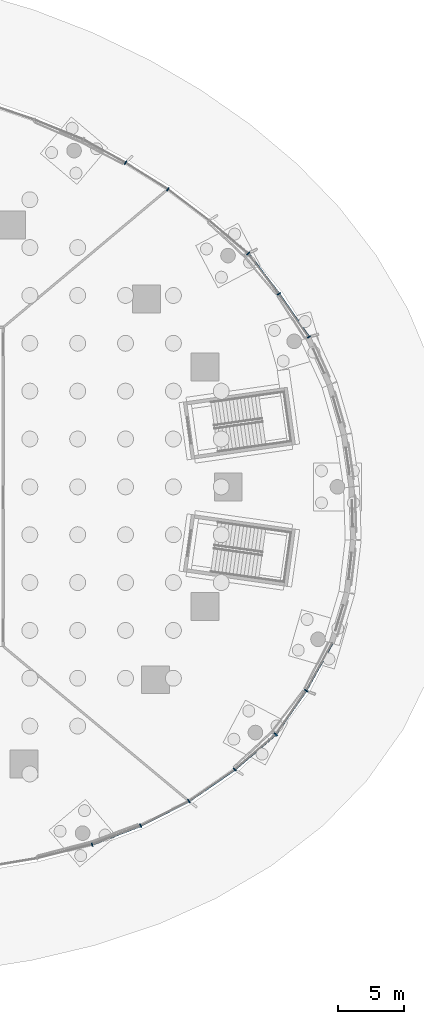
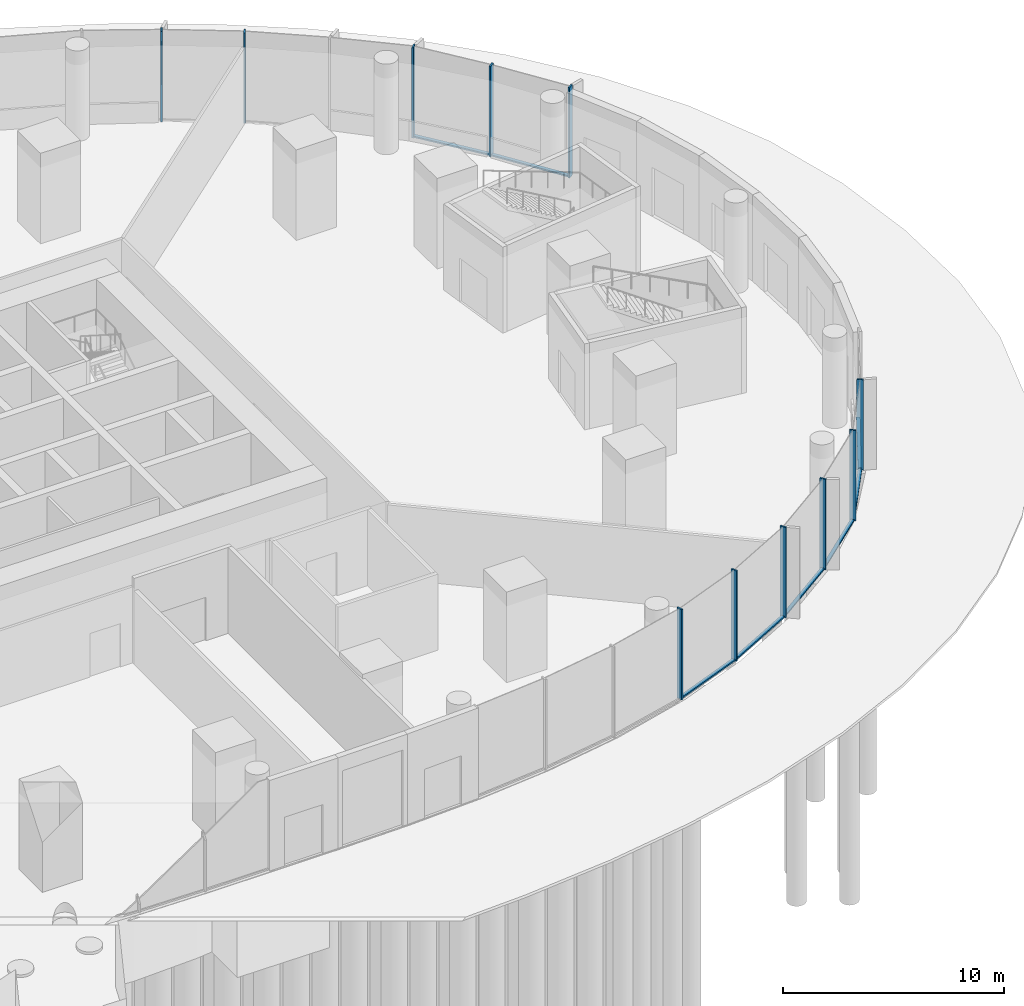
# One storey, part 7 of 29: 19 members, 4 elements without a shape of their own.
"""IFC4 building model written with IfcOpenShell, lengths in metres."""

from ifc_helpers import new_model, si_unit, direction, frame, origin, origin_2d, place, context, subcontext, project, spatial, rectangle, extrude, material, material_profile, profile_set, type_object, element, aggregate, save


model = new_model("IFC4")

# Units and contexts
model_context = context("Model", 3, precision=1e-05, world=origin(), true_north=direction((0.0, 1.0)))
body_context = subcontext(model_context, "Body", "Model", "MODEL_VIEW")
ifc_project = project(units=[si_unit("LENGTHUNIT", "METRE"), si_unit("AREAUNIT", "SQUARE_METRE"), si_unit("VOLUMEUNIT", "CUBIC_METRE"), si_unit("PLANEANGLEUNIT", "RADIAN"), si_unit("MASSUNIT", "GRAM", prefix="KILO")], contexts=[model_context])

# Site, building, storey
site_placement = place(None, origin())
site = spatial("IfcSite", under=ifc_project, at=site_placement, CompositionType="ELEMENT")
building_placement = place(site_placement, origin())
building = spatial("IfcBuilding", under=site, at=building_placement, Name="Ghaith Harvest Tower", CompositionType="ELEMENT")
storey_placement = place(building_placement, origin())
storey = spatial("IfcBuildingStorey", under=building, at=storey_placement, Name="L00", CompositionType="ELEMENT", Elevation=0.0)

# Curtain wall, members
ifc_material_1 = material(Name="Black anodised aluminium and fritted glass", Category="aluminium")
curtain_wall_type = type_object("IfcCurtainWallType", Name="CW-P CURTAIN WALL", PredefinedType="NOTDEFINED", material=ifc_material_1)
curtain_wall_1_placement = place(storey_placement, origin())
curtain_wall_1 = element("IfcCurtainWall", 1, at=curtain_wall_1_placement, inside=storey, type_object=curtain_wall_type, Name="Curtain wall CW-P bay 02 L00", PredefinedType="NOTDEFINED")
ifc_material_2 = material(Name="Aluminium, black anodised", Category="aluminium")
ifc_material_profile_1 = material_profile(ifc_material_2, rectangle(XDim=0.080078125, YDim=0.300048828125, at=origin_2d()), Name="CW-P MULLION 80x300")
ifc_profile_set_1 = profile_set([ifc_material_profile_1], Name="Aluminium, black anodised")
member_type_1 = type_object("IfcMemberType", Name="CW-P MULLION 80x300", PredefinedType="MULLION", material=ifc_profile_set_1)
member_1_placement = place(storey_placement, frame((38.986328125, 11.267822265625, 0.0), z_axis=(0.0, 0.0, 1.0), x_axis=(-0.568319762502, 0.822807782869, 0.0)))
member_1 = element("IfcMember", 2, at=member_1_placement, type_object=member_type_1, Name="CW-P mullion 1 bay 02 L00", PredefinedType="MULLION", context=body_context, shape_type="SweptSolid", body=[
    extrude(rectangle(XDim=0.080078125, YDim=0.300048828125, at=origin_2d()), origin(), (0.0, 0.0, 1.0), 5.0),
])
member_2_placement = place(storey_placement, frame((36.7373046875, 14.52392578125, 0.0), z_axis=(0.0, 0.0, 1.0), x_axis=(-0.587258025755, 0.809399784523, 0.0)))
member_2 = element("IfcMember", 3, at=member_2_placement, type_object=member_type_1, Name="CW-P mullion 2 bay 02 L00", PredefinedType="MULLION", context=body_context, shape_type="SweptSolid", body=[
    extrude(rectangle(XDim=0.080078125, YDim=0.300048828125, at=origin_2d()), origin(), (0.0, 0.0, 1.0), 5.0),
])
member_3_placement = place(storey_placement, frame((34.423583984375, 17.556396484375, 0.0), z_axis=(0.0, 0.0, 1.0), x_axis=(-0.689143047622, 0.724625323815, 0.0)))
member_3 = element("IfcMember", 4, at=member_3_placement, type_object=member_type_1, Name="CW-P mullion 3 bay 02 L00", PredefinedType="MULLION", context=body_context, shape_type="SweptSolid", body=[
    extrude(rectangle(XDim=0.080078125, YDim=0.300048828125, at=origin_2d()), origin(), (0.0, 0.0, 1.0), 5.0),
])

curtain_wall_2_placement = place(storey_placement, origin())
curtain_wall_2 = element("IfcCurtainWall", 5, at=curtain_wall_2_placement, inside=storey, type_object=curtain_wall_type, Name="Curtain wall CW-P bay 03 L00", PredefinedType="NOTDEFINED")
member_4_placement = place(storey_placement, frame((28.3876953125, 22.39404296875, 0.0), z_axis=(0.0, 0.0, 1.0), x_axis=(-0.822844524846, 0.56826656415, 0.0)))
member_4 = element("IfcMember", 6, at=member_4_placement, type_object=member_type_1, Name="CW-P mullion 2 bay 03 L00", PredefinedType="MULLION", context=body_context, shape_type="SweptSolid", body=[
    extrude(rectangle(XDim=0.080078125, YDim=0.300048828125, at=origin_2d()), origin(), (0.0, 0.0, 1.0), 5.0),
])
member_5_placement = place(storey_placement, frame((25.197021484375, 24.38720703125, 0.0), z_axis=(0.0, 0.0, 1.0), x_axis=(-0.861800763039, 0.507246926877, 0.0)))
member_5 = element("IfcMember", 7, at=member_5_placement, type_object=member_type_1, Name="CW-P mullion 3 bay 03 L00", PredefinedType="MULLION", context=body_context, shape_type="SweptSolid", body=[
    extrude(rectangle(XDim=0.080078125, YDim=0.300048828125, at=origin_2d()), origin(), (0.0, 0.0, 1.0), 5.0),
])
aggregate(curtain_wall_2, [member_4, member_5])

curtain_wall_3_placement = place(storey_placement, origin())
curtain_wall_3 = element("IfcCurtainWall", 8, at=curtain_wall_3_placement, inside=storey, type_object=curtain_wall_type, Name="Curtain wall CW-P bay 18 L00", PredefinedType="NOTDEFINED")
member_6_placement = place(storey_placement, frame((22.679931640625, -26.895263671875, 0.0), z_axis=(0.0, 0.0, 1.0), x_axis=(0.954194174196, 0.299188031063, 0.0)))
member_6 = element("IfcMember", 9, at=member_6_placement, type_object=member_type_1, Name="CW-P mullion 1 bay 18 L00", PredefinedType="MULLION", context=body_context, shape_type="SweptSolid", body=[
    extrude(rectangle(XDim=0.080078125, YDim=0.300048828125, at=origin_2d()), origin(), (0.0, 0.0, 1.0), 5.0),
])
member_7_placement = place(storey_placement, frame((26.338623046875, -25.4921875, 0.0), z_axis=(0.0, 0.0, 1.0), x_axis=(0.913313717697, 0.407256740972, 0.0)))
member_7 = element("IfcMember", 10, at=member_7_placement, type_object=member_type_1, Name="CW-P mullion 2 bay 18 L00", PredefinedType="MULLION", context=body_context, shape_type="SweptSolid", body=[
    extrude(rectangle(XDim=0.080078125, YDim=0.300048828125, at=origin_2d()), origin(), (0.0, 0.0, 1.0), 5.0),
])
member_8_placement = place(storey_placement, frame((29.9716796875, -23.643798828125, 0.0), z_axis=(0.0, 0.0, 1.0), x_axis=(0.858546653086, 0.512735452719, 0.0)))
member_8 = element("IfcMember", 11, at=member_8_placement, type_object=member_type_1, Name="CW-P mullion 3 bay 18 L00", PredefinedType="MULLION", context=body_context, shape_type="SweptSolid", body=[
    extrude(rectangle(XDim=0.080078125, YDim=0.300048828125, at=origin_2d()), origin(), (0.0, 0.0, 1.0), 5.0),
])

curtain_wall_4_placement = place(storey_placement, origin())
curtain_wall_4 = element("IfcCurtainWall", 12, at=curtain_wall_4_placement, inside=storey, type_object=curtain_wall_type, Name="Curtain wall CW-P bay 19 L00", PredefinedType="NOTDEFINED")
member_9_placement = place(storey_placement, frame((33.41552734375, -21.265869140625, 0.0), z_axis=(0.0, 0.0, 1.0), x_axis=(0.792243116857, 0.610205575026, 0.0)))
member_9 = element("IfcMember", 13, at=member_9_placement, type_object=member_type_1, Name="CW-P mullion 1 bay 19 L00", PredefinedType="MULLION", context=body_context, shape_type="SweptSolid", body=[
    extrude(rectangle(XDim=0.080078125, YDim=0.300048828125, at=origin_2d()), origin(), (0.0, 0.0, 1.0), 5.0),
])
member_10_placement = place(storey_placement, frame((36.5, -18.615478515625, 0.0), z_axis=(0.0, 0.0, 1.0), x_axis=(0.670571788871, 0.741844644094, 0.0)))
member_10 = element("IfcMember", 14, at=member_10_placement, type_object=member_type_1, Name="CW-P mullion 2 bay 19 L00", PredefinedType="MULLION", context=body_context, shape_type="SweptSolid", body=[
    extrude(rectangle(XDim=0.080078125, YDim=0.300048828125, at=origin_2d()), origin(), (0.0, 0.0, 1.0), 5.0),
])
member_11_placement = place(storey_placement, frame((38.77978515625, -15.33154296875, 0.0), z_axis=(0.0, 0.0, 1.0), x_axis=(0.526226687845, 0.850344326141, 0.0)))
member_11 = element("IfcMember", 15, at=member_11_placement, type_object=member_type_1, Name="CW-P mullion 3 bay 19 L00", PredefinedType="MULLION", context=body_context, shape_type="SweptSolid", body=[
    extrude(rectangle(XDim=0.080078125, YDim=0.300048828125, at=origin_2d()), origin(), (0.0, 0.0, 1.0), 5.0),
])

# Member
ifc_material_3 = material(Name="Aluminium, black anodised", Category="aluminium")
ifc_material_profile_2 = material_profile(ifc_material_3, rectangle(XDim=0.179931640625, YDim=0.080078125, at=origin_2d()), Name="CW-P TRANSOM 180x80")
ifc_profile_set_2 = profile_set([ifc_material_profile_2], Name="Aluminium, black anodised")
member_type_2 = type_object("IfcMemberType", Name="CW-P TRANSOM 180x80", PredefinedType="USERDEFINED", material=ifc_profile_set_2)
member_12_placement = place(storey_placement, frame((38.963623046875, 11.30078125, 0.0400390625), z_axis=(-0.568312529767, 0.822812778528, 0.0), x_axis=(-0.822812778528, -0.568312529767, 0.0)))
member_12 = element("IfcMember", 16, at=member_12_placement, type_object=member_type_2, Name="CW-P transom 1 bay 02 L00", ObjectType="TRANSOM", PredefinedType="USERDEFINED", context=body_context, shape_type="SweptSolid", body=[
    extrude(rectangle(XDim=0.179931640625, YDim=0.080078125, at=origin_2d()), origin(), (0.0, 0.0, 1.0), 3.87744140625),
])

member_13_placement = place(storey_placement, frame((36.713134765625, 14.555908203125, 0.0400390625), z_axis=(-0.606590683295, 0.795014303607, 0.0), x_axis=(-0.795014303607, -0.606590683295, 0.0)))
member_13 = element("IfcMember", 17, at=member_13_placement, type_object=member_type_2, Name="CW-P transom 2 bay 02 L00", ObjectType="TRANSOM", PredefinedType="USERDEFINED", context=body_context, shape_type="SweptSolid", body=[
    extrude(rectangle(XDim=0.179931640625, YDim=0.080078125, at=origin_2d()), origin(), (0.0, 0.0, 1.0), 3.734130859375),
])

aggregate(curtain_wall_1, [member_1, member_12, member_2, member_13, member_3])

member_14_placement = place(storey_placement, frame((22.71728515625, -26.880859375, 0.0400390625), z_axis=(0.933710682885, 0.358028435556, 0.0), x_axis=(-0.358028435556, 0.933710682885, 0.0)))
member_14 = element("IfcMember", 18, at=member_14_placement, type_object=member_type_2, Name="CW-P transom 1 bay 18 L00", ObjectType="TRANSOM", PredefinedType="USERDEFINED", context=body_context, shape_type="SweptSolid", body=[
    extrude(rectangle(XDim=0.179931640625, YDim=0.080078125, at=origin_2d()), origin(), (0.0, 0.0, 1.0), 3.83837890625),
])

member_15_placement = place(storey_placement, frame((26.374267578125, -25.47412109375, 0.0400390625), z_axis=(0.891265035365, 0.45348278549, 0.0), x_axis=(-0.45348278549, 0.891265035365, 0.0)))
member_15 = element("IfcMember", 19, at=member_15_placement, type_object=member_type_2, Name="CW-P transom 2 bay 18 L00", ObjectType="TRANSOM", PredefinedType="USERDEFINED", context=body_context, shape_type="SweptSolid", body=[
    extrude(rectangle(XDim=0.179931640625, YDim=0.080078125, at=origin_2d()), origin(), (0.0, 0.0, 1.0), 3.996337890625),
])

member_16_placement = place(storey_placement, frame((30.004638671875, -23.620849609375, 0.0400390625), z_axis=(0.822908818437, 0.568173456384, 0.0), x_axis=(-0.568173456384, 0.822908818437, 0.0)))
member_16 = element("IfcMember", 20, at=member_16_placement, type_object=member_type_2, Name="CW-P transom 3 bay 18 L00", ObjectType="TRANSOM", PredefinedType="USERDEFINED", context=body_context, shape_type="SweptSolid", body=[
    extrude(rectangle(XDim=0.179931640625, YDim=0.080078125, at=origin_2d()), origin(), (0.0, 0.0, 1.0), 4.10498046875),
])

aggregate(curtain_wall_3, [member_6, member_14, member_7, member_15, member_8, member_16])

member_17_placement = place(storey_placement, frame((33.44580078125, -21.23974609375, 0.0400390625), z_axis=(0.758486641581, 0.65168858709, 0.0), x_axis=(-0.65168858709, 0.758486641581, 0.0)))
member_17 = element("IfcMember", 21, at=member_17_placement, type_object=member_type_2, Name="CW-P transom 1 bay 19 L00", ObjectType="TRANSOM", PredefinedType="USERDEFINED", context=body_context, shape_type="SweptSolid", body=[
    extrude(rectangle(XDim=0.179931640625, YDim=0.080078125, at=origin_2d()), origin(), (0.0, 0.0, 1.0), 3.98681640625),
])

member_18_placement = place(storey_placement, frame((36.522705078125, -18.58251953125, 0.0400390625), z_axis=(0.570262668802, 0.821462408496, 0.0), x_axis=(-0.821462408496, 0.570262668802, 0.0)))
member_18 = element("IfcMember", 22, at=member_18_placement, type_object=member_type_2, Name="CW-P transom 2 bay 19 L00", ObjectType="TRANSOM", PredefinedType="USERDEFINED", context=body_context, shape_type="SweptSolid", body=[
    extrude(rectangle(XDim=0.179931640625, YDim=0.080078125, at=origin_2d()), origin(), (0.0, 0.0, 1.0), 3.917724609375),
])

member_19_placement = place(storey_placement, frame((38.798828125, -15.29638671875, 0.0400390625), z_axis=(0.48147568038, 0.876459450975, 0.0), x_axis=(-0.876459450975, 0.48147568038, 0.0)))
member_19 = element("IfcMember", 23, at=member_19_placement, type_object=member_type_2, Name="CW-P transom 3 bay 19 L00", ObjectType="TRANSOM", PredefinedType="USERDEFINED", context=body_context, shape_type="SweptSolid", body=[
    extrude(rectangle(XDim=0.179931640625, YDim=0.080078125, at=origin_2d()), origin(), (0.0, 0.0, 1.0), 4.01953125),
])

aggregate(curtain_wall_4, [member_9, member_17, member_10, member_18, member_11, member_19])

save(model, "model.ifc")
